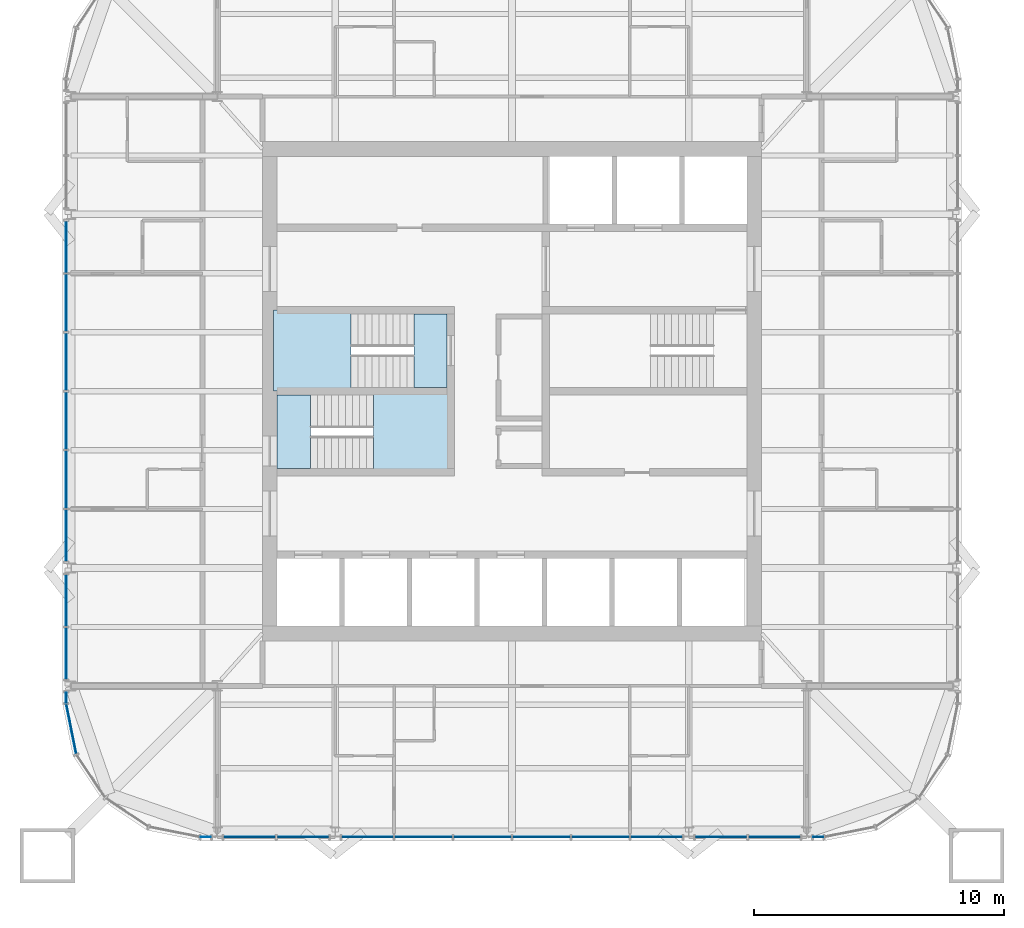
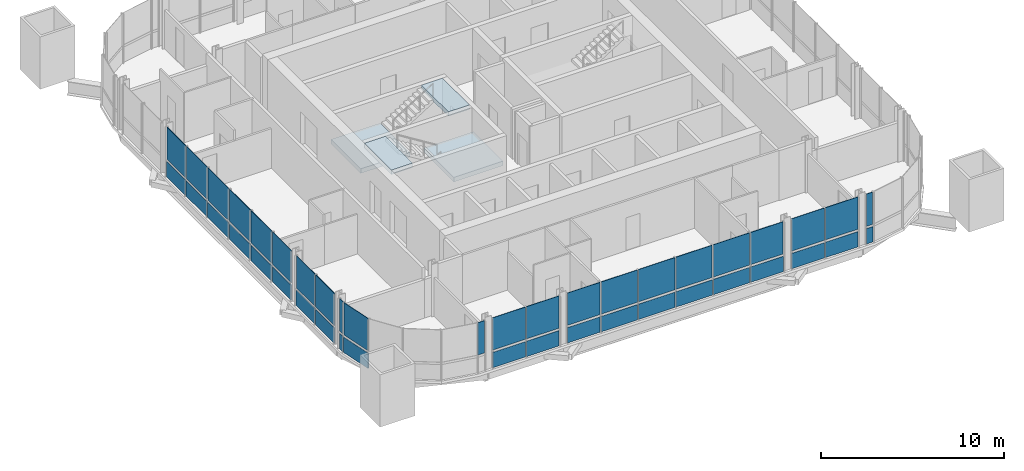
# One storey, part 8 of 17: 43 plates, 4 slabs, 11 elements without a shape of their own.
"""IFC4 building model written with IfcOpenShell, lengths in metres."""

from ifc_helpers import new_model, si_unit, direction, frame, origin, origin_2d, place, context, subcontext, project, spatial, polyline, rectangle, outline, extrude, material, layer, layer_set, type_object, element, aggregate, save


model = new_model("IFC4")

# Units and contexts
model_context = context("Model", 3, precision=1e-05, world=origin(), true_north=direction((0.0, 1.0)))
body_context = subcontext(model_context, "Body", "Model", "MODEL_VIEW")
ifc_project = project(units=[si_unit("LENGTHUNIT", "METRE"), si_unit("AREAUNIT", "SQUARE_METRE"), si_unit("VOLUMEUNIT", "CUBIC_METRE"), si_unit("PLANEANGLEUNIT", "RADIAN"), si_unit("MASSUNIT", "GRAM", prefix="KILO")], contexts=[model_context])

# Site, building, storey
site_placement = place(None, origin())
site = spatial("IfcSite", under=ifc_project, at=site_placement, CompositionType="ELEMENT")
building_placement = place(site_placement, origin())
building = spatial("IfcBuilding", under=site, at=building_placement, Name="Turquesa Mirador Hotel Tower", CompositionType="ELEMENT")
storey_placement = place(building_placement, frame((0.0, 0.0, 258.199951171875)))
storey = spatial("IfcBuildingStorey", under=building, at=storey_placement, Name="L70", CompositionType="ELEMENT", Elevation=258.199951171875)

# Curtain wall, plates
ifc_material_1 = material(Name="Aluminium extrusion", Category="aluminium")
curtain_wall_type = type_object("IfcCurtainWallType", Name="CW-4 SUITE FRITTED CURTAIN WALL", PredefinedType="USERDEFINED", material=ifc_material_1)
curtain_wall_1_placement = place(storey_placement, origin())
curtain_wall_1 = element("IfcCurtainWall", 1, at=curtain_wall_1_placement, inside=storey, type_object=curtain_wall_type, Name="CW-4 SUITE FRITTED CURTAIN WALL L70", ObjectType="CURTAIN WALL", PredefinedType="USERDEFINED")
ifc_material_2 = material(Name="Ceramic-printed spandrel glass on an insulated back pan", Category="glass")
ifc_layer_1 = layer(ifc_material_2, 0.050048828125)
ifc_layer_set_1 = layer_set([ifc_layer_1], Name="CW PANEL SPANDREL CERAMIC")
plate_type_1 = type_object("IfcPlateType", Name="CW PANEL SPANDREL CERAMIC", PredefinedType="CURTAIN_PANEL", material=ifc_layer_set_1)
plate_1_placement = place(storey_placement, frame((37.14990234375, 50.782958984375, 0.0), z_axis=(0.0, 0.0, 1.0), x_axis=(0.0, -1.0, 0.0)))
plate_1 = element("IfcPlate", 2, at=plate_1_placement, type_object=plate_type_1, Name="Panel", PredefinedType="CURTAIN_PANEL", context=body_context, shape_type="SweptSolid", body=[
    extrude(rectangle(XDim=2.06103515625, YDim=0.050048828125, at=origin_2d()), origin(), (0.0, 0.0, 1.0), 1.02490234375),
])
plate_2_placement = place(storey_placement, frame((37.14990234375, 48.5400390625, 0.0), z_axis=(0.0, 0.0, 1.0), x_axis=(0.0, -1.0, 0.0)))
plate_2 = element("IfcPlate", 3, at=plate_2_placement, type_object=plate_type_1, Name="Panel", PredefinedType="CURTAIN_PANEL", context=body_context, shape_type="SweptSolid", body=[
    extrude(rectangle(XDim=2.294921875, YDim=0.050048828125, at=origin_2d()), origin(), (0.0, 0.0, 1.0), 1.02490234375),
])
plate_3_placement = place(storey_placement, frame((37.14990234375, 46.179931640625, 0.0), z_axis=(0.0, 0.0, 1.0), x_axis=(0.0, -1.0, 0.0)))
plate_3 = element("IfcPlate", 4, at=plate_3_placement, type_object=plate_type_1, Name="Panel", PredefinedType="CURTAIN_PANEL", context=body_context, shape_type="SweptSolid", body=[
    extrude(rectangle(XDim=2.294921875, YDim=0.050048828125, at=origin_2d()), origin(), (0.0, 0.0, 1.0), 1.02490234375),
])
plate_4_placement = place(storey_placement, frame((37.14990234375, 43.820068359375, 0.0), z_axis=(0.0, 0.0, 1.0), x_axis=(0.0, -1.0, 0.0)))
plate_4 = element("IfcPlate", 5, at=plate_4_placement, type_object=plate_type_1, Name="Panel", PredefinedType="CURTAIN_PANEL", context=body_context, shape_type="SweptSolid", body=[
    extrude(rectangle(XDim=2.294921875, YDim=0.050048828125, at=origin_2d()), origin(), (0.0, 0.0, 1.0), 1.02490234375),
])
plate_5_placement = place(storey_placement, frame((37.14990234375, 41.4599609375, 0.0), z_axis=(0.0, 0.0, 1.0), x_axis=(0.0, -1.0, 0.0)))
plate_5 = element("IfcPlate", 6, at=plate_5_placement, type_object=plate_type_1, Name="Panel", PredefinedType="CURTAIN_PANEL", context=body_context, shape_type="SweptSolid", body=[
    extrude(rectangle(XDim=2.294921875, YDim=0.050048828125, at=origin_2d()), origin(), (0.0, 0.0, 1.0), 1.02490234375),
])
plate_6_placement = place(storey_placement, frame((37.14990234375, 39.217041015625, 0.0), z_axis=(0.0, 0.0, 1.0), x_axis=(0.0, -1.0, 0.0)))
plate_6 = element("IfcPlate", 7, at=plate_6_placement, type_object=plate_type_1, Name="Panel", PredefinedType="CURTAIN_PANEL", context=body_context, shape_type="SweptSolid", body=[
    extrude(rectangle(XDim=2.06103515625, YDim=0.050048828125, at=origin_2d()), origin(), (0.0, 0.0, 1.0), 1.02490234375),
])

curtain_wall_2_placement = place(storey_placement, origin())
curtain_wall_2 = element("IfcCurtainWall", 8, at=curtain_wall_2_placement, inside=storey, type_object=curtain_wall_type, Name="CW-4 SUITE FRITTED CURTAIN WALL L70", ObjectType="CURTAIN WALL", PredefinedType="USERDEFINED")
plate_7_placement = place(storey_placement, frame((37.14990234375, 36.623046875, 0.0), z_axis=(0.0, 0.0, 1.0), x_axis=(0.0, -1.0, 0.0)))
plate_7 = element("IfcPlate", 9, at=plate_7_placement, type_object=plate_type_1, Name="Panel", PredefinedType="CURTAIN_PANEL", context=body_context, shape_type="SweptSolid", body=[
    extrude(rectangle(XDim=2.06103515625, YDim=0.050048828125, at=origin_2d()), origin(), (0.0, 0.0, 1.0), 1.02490234375),
])
plate_8_placement = place(storey_placement, frame((37.14990234375, 34.496826171875, 0.0), z_axis=(0.0, 0.0, 1.0), x_axis=(0.0, -1.0, 0.0)))
plate_8 = element("IfcPlate", 10, at=plate_8_placement, type_object=plate_type_1, Name="Panel", PredefinedType="CURTAIN_PANEL", context=body_context, shape_type="SweptSolid", body=[
    extrude(rectangle(XDim=2.06103515625, YDim=0.050048828125, at=origin_2d()), origin(), (0.0, 0.0, 1.0), 1.02490234375),
])

# Curtain wall, plate
curtain_wall_3_placement = place(storey_placement, origin())
curtain_wall_3 = element("IfcCurtainWall", 11, at=curtain_wall_3_placement, inside=storey, type_object=curtain_wall_type, Name="CW-4 SUITE FRITTED CURTAIN WALL L70", ObjectType="CURTAIN WALL", PredefinedType="USERDEFINED")
plate_9_placement = place(storey_placement, frame((37.14990234375, 32.733154296875, 0.0), z_axis=(0.0, 0.0, 1.0), x_axis=(0.0, -1.0, 0.0)))
plate_9 = element("IfcPlate", 12, at=plate_9_placement, type_object=plate_type_1, Name="Panel", PredefinedType="CURTAIN_PANEL", context=body_context, shape_type="SweptSolid", body=[
    extrude(rectangle(XDim=0.401123046875, YDim=0.050048828125, at=origin_2d()), origin(), (0.0, 0.0, 1.0), 1.02490234375),
])

curtain_wall_4_placement = place(storey_placement, origin())
curtain_wall_4 = element("IfcCurtainWall", 13, at=curtain_wall_4_placement, inside=storey, type_object=curtain_wall_type, Name="CW-4 SUITE FRITTED CURTAIN WALL L70", ObjectType="CURTAIN WALL", PredefinedType="USERDEFINED")
plate_10_placement = place(storey_placement, frame((37.353515625, 31.476318359375, 0.0), z_axis=(0.0, 0.0, 1.0), x_axis=(0.195090585221, -0.980785228048, 0.0)))
plate_10 = element("IfcPlate", 14, at=plate_10_placement, type_object=plate_type_1, Name="Panel", PredefinedType="CURTAIN_PANEL", context=body_context, shape_type="SweptSolid", body=[
    extrude(rectangle(XDim=2.0224609375, YDim=0.050048828125, at=origin_2d()), origin(), (0.0, 0.0, 1.0), 1.02490234375),
])

# Curtain wall, plates
curtain_wall_5_placement = place(storey_placement, origin())
curtain_wall_5 = element("IfcCurtainWall", 15, at=curtain_wall_5_placement, inside=storey, type_object=curtain_wall_type, Name="CW-4 SUITE FRITTED CURTAIN WALL L70", ObjectType="CURTAIN WALL", PredefinedType="USERDEFINED")
plate_11_placement = place(storey_placement, frame((44.496826171875, 27.14990234375, 0.0), z_axis=(0.0, 0.0, 1.0), x_axis=(1.0, 0.0, 0.0)))
plate_11 = element("IfcPlate", 16, at=plate_11_placement, type_object=plate_type_1, Name="Panel", PredefinedType="CURTAIN_PANEL", context=body_context, shape_type="SweptSolid", body=[
    extrude(rectangle(XDim=2.06103515625, YDim=0.050048828125, at=origin_2d()), origin(), (0.0, 0.0, 1.0), 1.02490234375),
])
plate_12_placement = place(storey_placement, frame((46.623046875, 27.14990234375, 0.0), z_axis=(0.0, 0.0, 1.0), x_axis=(1.0, 0.0, 0.0)))
plate_12 = element("IfcPlate", 17, at=plate_12_placement, type_object=plate_type_1, Name="Panel", PredefinedType="CURTAIN_PANEL", context=body_context, shape_type="SweptSolid", body=[
    extrude(rectangle(XDim=2.06103515625, YDim=0.050048828125, at=origin_2d()), origin(), (0.0, 0.0, 1.0), 1.02490234375),
])

curtain_wall_6_placement = place(storey_placement, origin())
curtain_wall_6 = element("IfcCurtainWall", 18, at=curtain_wall_6_placement, inside=storey, type_object=curtain_wall_type, Name="CW-4 SUITE FRITTED CURTAIN WALL L70", ObjectType="CURTAIN WALL", PredefinedType="USERDEFINED")
plate_13_placement = place(storey_placement, frame((49.217041015625, 27.14990234375, 0.0), z_axis=(0.0, 0.0, 1.0), x_axis=(1.0, 0.0, 0.0)))
plate_13 = element("IfcPlate", 19, at=plate_13_placement, type_object=plate_type_1, Name="Panel", PredefinedType="CURTAIN_PANEL", context=body_context, shape_type="SweptSolid", body=[
    extrude(rectangle(XDim=2.06103515625, YDim=0.050048828125, at=origin_2d()), origin(), (0.0, 0.0, 1.0), 1.02490234375),
])
plate_14_placement = place(storey_placement, frame((51.4599609375, 27.14990234375, 0.0), z_axis=(0.0, 0.0, 1.0), x_axis=(1.0, 0.0, 0.0)))
plate_14 = element("IfcPlate", 20, at=plate_14_placement, type_object=plate_type_1, Name="Panel", PredefinedType="CURTAIN_PANEL", context=body_context, shape_type="SweptSolid", body=[
    extrude(rectangle(XDim=2.294921875, YDim=0.050048828125, at=origin_2d()), origin(), (0.0, 0.0, 1.0), 1.02490234375),
])
plate_15_placement = place(storey_placement, frame((53.820068359375, 27.14990234375, 0.0), z_axis=(0.0, 0.0, 1.0), x_axis=(1.0, 0.0, 0.0)))
plate_15 = element("IfcPlate", 21, at=plate_15_placement, type_object=plate_type_1, Name="Panel", PredefinedType="CURTAIN_PANEL", context=body_context, shape_type="SweptSolid", body=[
    extrude(rectangle(XDim=2.294921875, YDim=0.050048828125, at=origin_2d()), origin(), (0.0, 0.0, 1.0), 1.02490234375),
])
plate_16_placement = place(storey_placement, frame((56.179931640625, 27.14990234375, 0.0), z_axis=(0.0, 0.0, 1.0), x_axis=(1.0, 0.0, 0.0)))
plate_16 = element("IfcPlate", 22, at=plate_16_placement, type_object=plate_type_1, Name="Panel", PredefinedType="CURTAIN_PANEL", context=body_context, shape_type="SweptSolid", body=[
    extrude(rectangle(XDim=2.294921875, YDim=0.050048828125, at=origin_2d()), origin(), (0.0, 0.0, 1.0), 1.02490234375),
])
plate_17_placement = place(storey_placement, frame((58.5400390625, 27.14990234375, 0.0), z_axis=(0.0, 0.0, 1.0), x_axis=(1.0, 0.0, 0.0)))
plate_17 = element("IfcPlate", 23, at=plate_17_placement, type_object=plate_type_1, Name="Panel", PredefinedType="CURTAIN_PANEL", context=body_context, shape_type="SweptSolid", body=[
    extrude(rectangle(XDim=2.294921875, YDim=0.050048828125, at=origin_2d()), origin(), (0.0, 0.0, 1.0), 1.02490234375),
])
plate_18_placement = place(storey_placement, frame((60.782958984375, 27.14990234375, 0.0), z_axis=(0.0, 0.0, 1.0), x_axis=(1.0, 0.0, 0.0)))
plate_18 = element("IfcPlate", 24, at=plate_18_placement, type_object=plate_type_1, Name="Panel", PredefinedType="CURTAIN_PANEL", context=body_context, shape_type="SweptSolid", body=[
    extrude(rectangle(XDim=2.06103515625, YDim=0.050048828125, at=origin_2d()), origin(), (0.0, 0.0, 1.0), 1.02490234375),
])

curtain_wall_7_placement = place(storey_placement, origin())
curtain_wall_7 = element("IfcCurtainWall", 25, at=curtain_wall_7_placement, inside=storey, type_object=curtain_wall_type, Name="CW-4 SUITE FRITTED CURTAIN WALL L70", ObjectType="CURTAIN WALL", PredefinedType="USERDEFINED")
plate_19_placement = place(storey_placement, frame((63.376953125, 27.14990234375, 0.0), z_axis=(0.0, 0.0, 1.0), x_axis=(1.0, 0.0, 0.0)))
plate_19 = element("IfcPlate", 26, at=plate_19_placement, type_object=plate_type_1, Name="Panel", PredefinedType="CURTAIN_PANEL", context=body_context, shape_type="SweptSolid", body=[
    extrude(rectangle(XDim=2.06103515625, YDim=0.050048828125, at=origin_2d()), origin(), (0.0, 0.0, 1.0), 1.02490234375),
])
plate_20_placement = place(storey_placement, frame((65.503173828125, 27.14990234375, 0.0), z_axis=(0.0, 0.0, 1.0), x_axis=(1.0, 0.0, 0.0)))
plate_20 = element("IfcPlate", 27, at=plate_20_placement, type_object=plate_type_1, Name="Panel", PredefinedType="CURTAIN_PANEL", context=body_context, shape_type="SweptSolid", body=[
    extrude(rectangle(XDim=2.06103515625, YDim=0.050048828125, at=origin_2d()), origin(), (0.0, 0.0, 1.0), 1.02490234375),
])

# Curtain wall, plate
curtain_wall_8_placement = place(storey_placement, origin())
curtain_wall_8 = element("IfcCurtainWall", 28, at=curtain_wall_8_placement, inside=storey, type_object=curtain_wall_type, Name="CW-4 SUITE FRITTED CURTAIN WALL L70", ObjectType="CURTAIN WALL", PredefinedType="USERDEFINED")
plate_21_placement = place(storey_placement, frame((67.266845703125, 27.14990234375, 0.0), z_axis=(0.0, 0.0, 1.0), x_axis=(1.0, 0.0, 0.0)))
plate_21 = element("IfcPlate", 29, at=plate_21_placement, type_object=plate_type_1, Name="Panel", PredefinedType="CURTAIN_PANEL", context=body_context, shape_type="SweptSolid", body=[
    extrude(rectangle(XDim=0.401123046875, YDim=0.050048828125, at=origin_2d()), origin(), (0.0, 0.0, 1.0), 1.02490234375),
])

# Plate
ifc_material_3 = material(Name="Ceramic-fritted laminated glass", Category="glass")
ifc_layer_2 = layer(ifc_material_3, 0.031982421875)
ifc_layer_set_2 = layer_set([ifc_layer_2], Name="CW PANEL VISION FRITTED")
plate_type_2 = type_object("IfcPlateType", Name="CW PANEL VISION FRITTED", PredefinedType="CURTAIN_PANEL", material=ifc_layer_set_2)
plate_22_placement = place(storey_placement, frame((37.14990234375, 50.782958984375, 1.1748046875), z_axis=(0.0, 0.0, 1.0), x_axis=(0.0, -1.0, 0.0)))
plate_22 = element("IfcPlate", 30, at=plate_22_placement, type_object=plate_type_2, Name="Panel", PredefinedType="CURTAIN_PANEL", context=body_context, shape_type="SweptSolid", body=[
    extrude(rectangle(XDim=2.06103515625, YDim=0.031982421875, at=origin_2d()), origin(), (0.0, 0.0, 1.0), 2.155029296875),
])

plate_23_placement = place(storey_placement, frame((37.14990234375, 48.5400390625, 1.1748046875), z_axis=(0.0, 0.0, 1.0), x_axis=(0.0, -1.0, 0.0)))
plate_23 = element("IfcPlate", 31, at=plate_23_placement, type_object=plate_type_2, Name="Panel", PredefinedType="CURTAIN_PANEL", context=body_context, shape_type="SweptSolid", body=[
    extrude(rectangle(XDim=2.294921875, YDim=0.031982421875, at=origin_2d()), origin(), (0.0, 0.0, 1.0), 2.155029296875),
])

plate_24_placement = place(storey_placement, frame((37.14990234375, 46.179931640625, 1.1748046875), z_axis=(0.0, 0.0, 1.0), x_axis=(0.0, -1.0, 0.0)))
plate_24 = element("IfcPlate", 32, at=plate_24_placement, type_object=plate_type_2, Name="Panel", PredefinedType="CURTAIN_PANEL", context=body_context, shape_type="SweptSolid", body=[
    extrude(rectangle(XDim=2.294921875, YDim=0.031982421875, at=origin_2d()), origin(), (0.0, 0.0, 1.0), 2.155029296875),
])

plate_25_placement = place(storey_placement, frame((37.14990234375, 43.820068359375, 1.1748046875), z_axis=(0.0, 0.0, 1.0), x_axis=(0.0, -1.0, 0.0)))
plate_25 = element("IfcPlate", 33, at=plate_25_placement, type_object=plate_type_2, Name="Panel", PredefinedType="CURTAIN_PANEL", context=body_context, shape_type="SweptSolid", body=[
    extrude(rectangle(XDim=2.294921875, YDim=0.031982421875, at=origin_2d()), origin(), (0.0, 0.0, 1.0), 2.155029296875),
])

plate_26_placement = place(storey_placement, frame((37.14990234375, 41.4599609375, 1.1748046875), z_axis=(0.0, 0.0, 1.0), x_axis=(0.0, -1.0, 0.0)))
plate_26 = element("IfcPlate", 34, at=plate_26_placement, type_object=plate_type_2, Name="Panel", PredefinedType="CURTAIN_PANEL", context=body_context, shape_type="SweptSolid", body=[
    extrude(rectangle(XDim=2.294921875, YDim=0.031982421875, at=origin_2d()), origin(), (0.0, 0.0, 1.0), 2.155029296875),
])

plate_27_placement = place(storey_placement, frame((37.14990234375, 39.217041015625, 1.1748046875), z_axis=(0.0, 0.0, 1.0), x_axis=(0.0, -1.0, 0.0)))
plate_27 = element("IfcPlate", 35, at=plate_27_placement, type_object=plate_type_2, Name="Panel", PredefinedType="CURTAIN_PANEL", context=body_context, shape_type="SweptSolid", body=[
    extrude(rectangle(XDim=2.06103515625, YDim=0.031982421875, at=origin_2d()), origin(), (0.0, 0.0, 1.0), 2.155029296875),
])

aggregate(curtain_wall_1, [plate_1, plate_22, plate_2, plate_23, plate_3, plate_24, plate_4, plate_25, plate_5, plate_26, plate_6, plate_27])

plate_28_placement = place(storey_placement, frame((37.14990234375, 36.623046875, 1.1748046875), z_axis=(0.0, 0.0, 1.0), x_axis=(0.0, -1.0, 0.0)))
plate_28 = element("IfcPlate", 36, at=plate_28_placement, type_object=plate_type_2, Name="Panel", PredefinedType="CURTAIN_PANEL", context=body_context, shape_type="SweptSolid", body=[
    extrude(rectangle(XDim=2.06103515625, YDim=0.031982421875, at=origin_2d()), origin(), (0.0, 0.0, 1.0), 2.155029296875),
])

plate_29_placement = place(storey_placement, frame((37.14990234375, 34.496826171875, 1.1748046875), z_axis=(0.0, 0.0, 1.0), x_axis=(0.0, -1.0, 0.0)))
plate_29 = element("IfcPlate", 37, at=plate_29_placement, type_object=plate_type_2, Name="Panel", PredefinedType="CURTAIN_PANEL", context=body_context, shape_type="SweptSolid", body=[
    extrude(rectangle(XDim=2.06103515625, YDim=0.031982421875, at=origin_2d()), origin(), (0.0, 0.0, 1.0), 2.155029296875),
])

aggregate(curtain_wall_2, [plate_7, plate_28, plate_8, plate_29])

plate_30_placement = place(storey_placement, frame((37.14990234375, 32.733154296875, 1.1748046875), z_axis=(0.0, 0.0, 1.0), x_axis=(0.0, -1.0, 0.0)))
plate_30 = element("IfcPlate", 38, at=plate_30_placement, type_object=plate_type_2, Name="Panel", PredefinedType="CURTAIN_PANEL", context=body_context, shape_type="SweptSolid", body=[
    extrude(rectangle(XDim=0.401123046875, YDim=0.031982421875, at=origin_2d()), origin(), (0.0, 0.0, 1.0), 2.155029296875),
])

aggregate(curtain_wall_3, [plate_9, plate_30])

plate_31_placement = place(storey_placement, frame((37.353515625, 31.476318359375, 1.1748046875), z_axis=(0.0, 0.0, 1.0), x_axis=(0.195090585221, -0.980785228048, 0.0)))
plate_31 = element("IfcPlate", 39, at=plate_31_placement, type_object=plate_type_2, Name="Panel", PredefinedType="CURTAIN_PANEL", context=body_context, shape_type="SweptSolid", body=[
    extrude(rectangle(XDim=2.0224609375, YDim=0.031982421875, at=origin_2d()), origin(), (0.0, 0.0, 1.0), 2.155029296875),
])

aggregate(curtain_wall_4, [plate_10, plate_31])

# Curtain wall, plate
curtain_wall_9_placement = place(storey_placement, origin())
curtain_wall_9 = element("IfcCurtainWall", 40, at=curtain_wall_9_placement, inside=storey, type_object=curtain_wall_type, Name="CW-4 SUITE FRITTED CURTAIN WALL L70", ObjectType="CURTAIN WALL", PredefinedType="USERDEFINED")
plate_32_placement = place(storey_placement, frame((42.733154296875, 27.14990234375, 1.1748046875), z_axis=(0.0, 0.0, 1.0), x_axis=(1.0, 0.0, 0.0)))
plate_32 = element("IfcPlate", 41, at=plate_32_placement, type_object=plate_type_2, Name="Panel", PredefinedType="CURTAIN_PANEL", context=body_context, shape_type="SweptSolid", body=[
    extrude(rectangle(XDim=0.401123046875, YDim=0.031982421875, at=origin_2d()), origin(), (0.0, 0.0, 1.0), 2.155029296875),
])
aggregate(curtain_wall_9, [plate_32])

# Plate
plate_33_placement = place(storey_placement, frame((44.496826171875, 27.14990234375, 1.1748046875), z_axis=(0.0, 0.0, 1.0), x_axis=(1.0, 0.0, 0.0)))
plate_33 = element("IfcPlate", 42, at=plate_33_placement, type_object=plate_type_2, Name="Panel", PredefinedType="CURTAIN_PANEL", context=body_context, shape_type="SweptSolid", body=[
    extrude(rectangle(XDim=2.06103515625, YDim=0.031982421875, at=origin_2d()), origin(), (0.0, 0.0, 1.0), 2.155029296875),
])

plate_34_placement = place(storey_placement, frame((46.623046875, 27.14990234375, 1.1748046875), z_axis=(0.0, 0.0, 1.0), x_axis=(1.0, 0.0, 0.0)))
plate_34 = element("IfcPlate", 43, at=plate_34_placement, type_object=plate_type_2, Name="Panel", PredefinedType="CURTAIN_PANEL", context=body_context, shape_type="SweptSolid", body=[
    extrude(rectangle(XDim=2.06103515625, YDim=0.031982421875, at=origin_2d()), origin(), (0.0, 0.0, 1.0), 2.155029296875),
])

aggregate(curtain_wall_5, [plate_11, plate_33, plate_12, plate_34])

plate_35_placement = place(storey_placement, frame((49.217041015625, 27.14990234375, 1.1748046875), z_axis=(0.0, 0.0, 1.0), x_axis=(1.0, 0.0, 0.0)))
plate_35 = element("IfcPlate", 44, at=plate_35_placement, type_object=plate_type_2, Name="Panel", PredefinedType="CURTAIN_PANEL", context=body_context, shape_type="SweptSolid", body=[
    extrude(rectangle(XDim=2.06103515625, YDim=0.031982421875, at=origin_2d()), origin(), (0.0, 0.0, 1.0), 2.155029296875),
])

plate_36_placement = place(storey_placement, frame((51.4599609375, 27.14990234375, 1.1748046875), z_axis=(0.0, 0.0, 1.0), x_axis=(1.0, 0.0, 0.0)))
plate_36 = element("IfcPlate", 45, at=plate_36_placement, type_object=plate_type_2, Name="Panel", PredefinedType="CURTAIN_PANEL", context=body_context, shape_type="SweptSolid", body=[
    extrude(rectangle(XDim=2.294921875, YDim=0.031982421875, at=origin_2d()), origin(), (0.0, 0.0, 1.0), 2.155029296875),
])

plate_37_placement = place(storey_placement, frame((53.820068359375, 27.14990234375, 1.1748046875), z_axis=(0.0, 0.0, 1.0), x_axis=(1.0, 0.0, 0.0)))
plate_37 = element("IfcPlate", 46, at=plate_37_placement, type_object=plate_type_2, Name="Panel", PredefinedType="CURTAIN_PANEL", context=body_context, shape_type="SweptSolid", body=[
    extrude(rectangle(XDim=2.294921875, YDim=0.031982421875, at=origin_2d()), origin(), (0.0, 0.0, 1.0), 2.155029296875),
])

plate_38_placement = place(storey_placement, frame((56.179931640625, 27.14990234375, 1.1748046875), z_axis=(0.0, 0.0, 1.0), x_axis=(1.0, 0.0, 0.0)))
plate_38 = element("IfcPlate", 47, at=plate_38_placement, type_object=plate_type_2, Name="Panel", PredefinedType="CURTAIN_PANEL", context=body_context, shape_type="SweptSolid", body=[
    extrude(rectangle(XDim=2.294921875, YDim=0.031982421875, at=origin_2d()), origin(), (0.0, 0.0, 1.0), 2.155029296875),
])

plate_39_placement = place(storey_placement, frame((58.5400390625, 27.14990234375, 1.1748046875), z_axis=(0.0, 0.0, 1.0), x_axis=(1.0, 0.0, 0.0)))
plate_39 = element("IfcPlate", 48, at=plate_39_placement, type_object=plate_type_2, Name="Panel", PredefinedType="CURTAIN_PANEL", context=body_context, shape_type="SweptSolid", body=[
    extrude(rectangle(XDim=2.294921875, YDim=0.031982421875, at=origin_2d()), origin(), (0.0, 0.0, 1.0), 2.155029296875),
])

plate_40_placement = place(storey_placement, frame((60.782958984375, 27.14990234375, 1.1748046875), z_axis=(0.0, 0.0, 1.0), x_axis=(1.0, 0.0, 0.0)))
plate_40 = element("IfcPlate", 49, at=plate_40_placement, type_object=plate_type_2, Name="Panel", PredefinedType="CURTAIN_PANEL", context=body_context, shape_type="SweptSolid", body=[
    extrude(rectangle(XDim=2.06103515625, YDim=0.031982421875, at=origin_2d()), origin(), (0.0, 0.0, 1.0), 2.155029296875),
])

aggregate(curtain_wall_6, [plate_13, plate_35, plate_14, plate_36, plate_15, plate_37, plate_16, plate_38, plate_17, plate_39, plate_18, plate_40])

plate_41_placement = place(storey_placement, frame((63.376953125, 27.14990234375, 1.1748046875), z_axis=(0.0, 0.0, 1.0), x_axis=(1.0, 0.0, 0.0)))
plate_41 = element("IfcPlate", 50, at=plate_41_placement, type_object=plate_type_2, Name="Panel", PredefinedType="CURTAIN_PANEL", context=body_context, shape_type="SweptSolid", body=[
    extrude(rectangle(XDim=2.06103515625, YDim=0.031982421875, at=origin_2d()), origin(), (0.0, 0.0, 1.0), 2.155029296875),
])

plate_42_placement = place(storey_placement, frame((65.503173828125, 27.14990234375, 1.1748046875), z_axis=(0.0, 0.0, 1.0), x_axis=(1.0, 0.0, 0.0)))
plate_42 = element("IfcPlate", 51, at=plate_42_placement, type_object=plate_type_2, Name="Panel", PredefinedType="CURTAIN_PANEL", context=body_context, shape_type="SweptSolid", body=[
    extrude(rectangle(XDim=2.06103515625, YDim=0.031982421875, at=origin_2d()), origin(), (0.0, 0.0, 1.0), 2.155029296875),
])

aggregate(curtain_wall_7, [plate_19, plate_41, plate_20, plate_42])

plate_43_placement = place(storey_placement, frame((67.266845703125, 27.14990234375, 1.1748046875), z_axis=(0.0, 0.0, 1.0), x_axis=(1.0, 0.0, 0.0)))
plate_43 = element("IfcPlate", 52, at=plate_43_placement, type_object=plate_type_2, Name="Panel", PredefinedType="CURTAIN_PANEL", context=body_context, shape_type="SweptSolid", body=[
    extrude(rectangle(XDim=0.401123046875, YDim=0.031982421875, at=origin_2d()), origin(), (0.0, 0.0, 1.0), 2.155029296875),
])

aggregate(curtain_wall_8, [plate_21, plate_43])

# Stair, slabs
ifc_material_4 = material(Name="Concrete C35/45", Category="concrete")
stair_type = type_object("IfcStairType", Name="ESCAPE STAIR CORE", PredefinedType="HALF_TURN_STAIR", material=ifc_material_4)
stair_1_placement = place(storey_placement, origin())
stair_1 = element("IfcStair", 53, at=stair_1_placement, inside=storey, type_object=stair_type, Name="Stair ST1 L70 to L71", PredefinedType="HALF_TURN_STAIR")
ifc_material_5 = material(Name="Concrete C35/45", Category="concrete")
ifc_layer_3 = layer(ifc_material_5, 0.300048828125)
ifc_layer_set_3 = layer_set([ifc_layer_3], Name="STAIR LANDING 300")
slab_type = type_object("IfcSlabType", Name="STAIR LANDING 300", PredefinedType="LANDING", material=ifc_layer_set_3)
slab_1_placement = place(storey_placement, frame((0.0, 0.0, 1.449951171875)))
slab_1 = element("IfcSlab", 54, at=slab_1_placement, type_object=slab_type, Name="ST1 landing 1", PredefinedType="LANDING", context=body_context, shape_type="SweptSolid", body=[
    extrude(outline(polyline([(45.449951171875, 45.0), (48.550048828125, 45.0), (48.550048828125, 48.25), (45.449951171875, 48.25), (45.449951171875, 45.0)])), origin(), (0.0, 0.0, 1.0), 0.300048828125),
])
slab_2_placement = place(storey_placement, frame((0.0, 0.0, 3.199951171875)))
slab_2 = element("IfcSlab", 55, at=slab_2_placement, type_object=slab_type, Name="ST1 landing 2", PredefinedType="LANDING", context=body_context, shape_type="SweptSolid", body=[
    extrude(outline(polyline([(51.070068359375, 45.14990234375), (52.39990234375, 45.14990234375), (52.39990234375, 48.10009765625), (51.070068359375, 48.10009765625), (51.070068359375, 45.14990234375)])), origin(), (0.0, 0.0, 1.0), 0.300048828125),
])
aggregate(stair_1, [slab_1, slab_2])

stair_2_placement = place(storey_placement, origin())
stair_2 = element("IfcStair", 56, at=stair_2_placement, inside=storey, type_object=stair_type, Name="Stair ST2 L70 to L71", PredefinedType="HALF_TURN_STAIR")
slab_3_placement = place(storey_placement, frame((0.0, 0.0, 1.449951171875)))
slab_3 = element("IfcSlab", 57, at=slab_3_placement, type_object=slab_type, Name="ST2 landing 1", PredefinedType="LANDING", context=body_context, shape_type="SweptSolid", body=[
    extrude(outline(polyline([(52.550048828125, 45.0), (49.449951171875, 45.0), (49.449951171875, 41.75), (52.550048828125, 41.75), (52.550048828125, 45.0)])), origin(), (0.0, 0.0, 1.0), 0.300048828125),
])
slab_4_placement = place(storey_placement, frame((0.0, 0.0, 3.199951171875)))
slab_4 = element("IfcSlab", 58, at=slab_4_placement, type_object=slab_type, Name="ST2 landing 2", PredefinedType="LANDING", context=body_context, shape_type="SweptSolid", body=[
    extrude(outline(polyline([(46.929931640625, 44.85009765625), (45.60009765625, 44.85009765625), (45.60009765625, 41.89990234375), (46.929931640625, 41.89990234375), (46.929931640625, 44.85009765625)])), origin(), (0.0, 0.0, 1.0), 0.300048828125),
])
aggregate(stair_2, [slab_3, slab_4])

save(model, "model.ifc")
